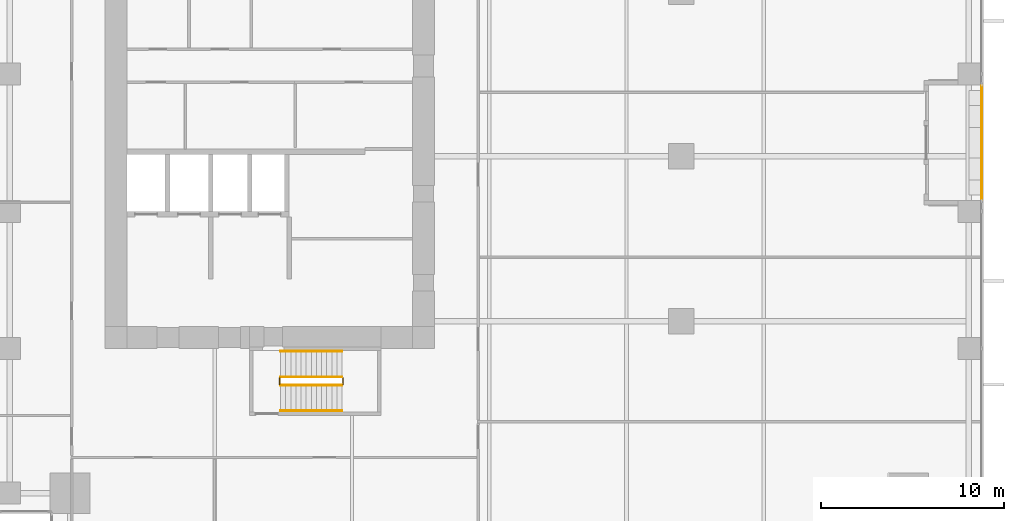
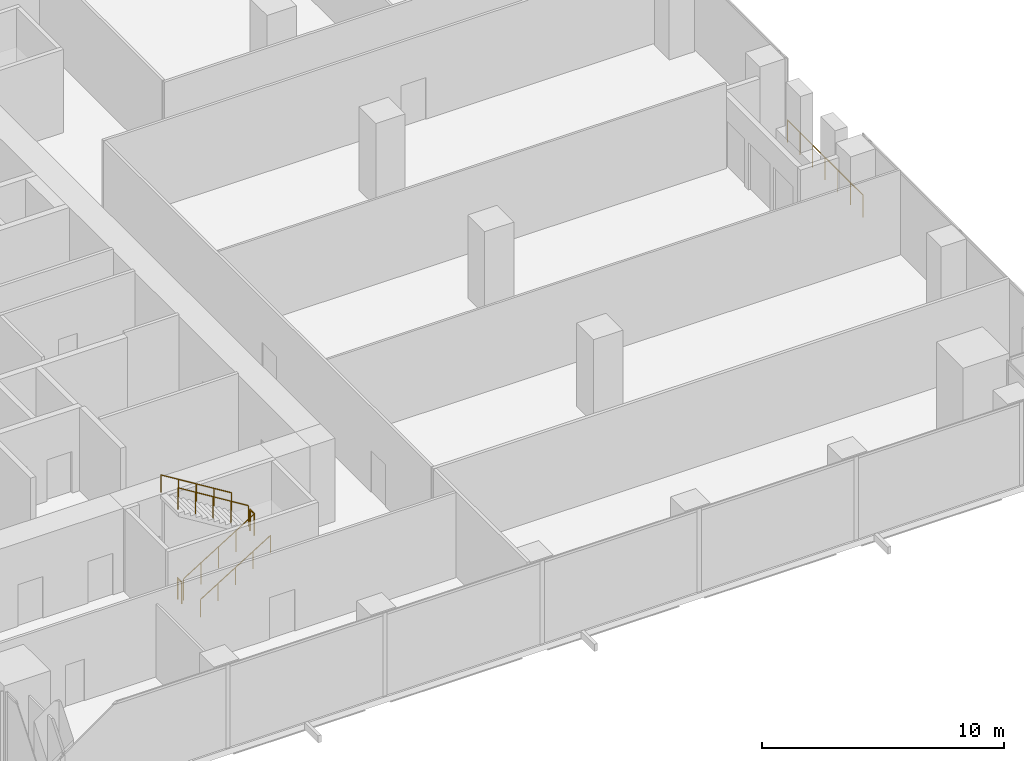
# One storey, part 30 of 32: 7 railings.
"""IFC4 building model written with IfcOpenShell, lengths in metres."""

from ifc_helpers import new_model, si_unit, direction, frame, origin, origin_2d, place, context, subcontext, project, spatial, circle, extrude, source, transform, mapped, material, type_object, element, save


model = new_model("IFC4")

# Units and contexts
model_context = context("Model", 3, precision=1e-05, world=origin(), true_north=direction((0.0, 1.0)))
body_context = subcontext(model_context, "Body", "Model", "MODEL_VIEW")
ifc_project = project(units=[si_unit("LENGTHUNIT", "METRE"), si_unit("AREAUNIT", "SQUARE_METRE"), si_unit("VOLUMEUNIT", "CUBIC_METRE"), si_unit("PLANEANGLEUNIT", "RADIAN"), si_unit("MASSUNIT", "GRAM", prefix="KILO")], contexts=[model_context])

# Site, building, storey
site_placement = place(None, origin())
site = spatial("IfcSite", under=ifc_project, at=site_placement, CompositionType="ELEMENT")
building_placement = place(site_placement, origin())
building = spatial("IfcBuilding", under=site, at=building_placement, Name="Khomas Fold Tower", CompositionType="ELEMENT")
storey_placement = place(building_placement, frame((0.0, 0.0, 37.5)))
storey = spatial("IfcBuildingStorey", under=building, at=storey_placement, Name="L07", CompositionType="ELEMENT", Elevation=37.5)

# Railings
ifc_material_1 = material(Name="Powder-coated steel", Category="steel")
railing_type_1 = type_object("IfcRailingType", Name="Balcony guard", PredefinedType="GUARDRAIL", material=ifc_material_1)
shared_shape_1 = source(origin(), body_context, "Body", "SweptSolid", [
    extrude(circle(Radius=0.02490234375, at=origin_2d()), frame((0.0, 0.0, 1.125), z_axis=(0.0, 1.0, 0.0), x_axis=(-1.0, 0.0, 0.0)), (0.0, 0.0, 1.0), 6.240234375),
    extrude(circle(Radius=0.02001953125, at=origin_2d()), origin(), (0.0, 0.0, 1.0), 1.099853515625),
    extrude(circle(Radius=0.02001953125, at=origin_2d()), frame((0.0, 1.0400390625, 0.0)), (0.0, 0.0, 1.0), 1.099853515625),
    extrude(circle(Radius=0.02001953125, at=origin_2d()), frame((0.0, 2.080078125, 0.0)), (0.0, 0.0, 1.0), 1.099853515625),
    extrude(circle(Radius=0.02001953125, at=origin_2d()), frame((0.0, 3.1201171875, 0.0)), (0.0, 0.0, 1.0), 1.099853515625),
    extrude(circle(Radius=0.02001953125, at=origin_2d()), frame((0.0, 4.16015625, 0.0)), (0.0, 0.0, 1.0), 1.099853515625),
    extrude(circle(Radius=0.02001953125, at=origin_2d()), frame((0.0, 5.2001953125, 0.0)), (0.0, 0.0, 1.0), 1.099853515625),
    extrude(circle(Radius=0.02001953125, at=origin_2d()), frame((0.0, 6.240234375, 0.0)), (0.0, 0.0, 1.0), 1.099853515625),
])
railing_1_placement = place(storey_placement, frame((53.89990234375, 20.1298828125, -0.044921875)))
element("IfcRailing", 1, at=railing_1_placement, inside=storey, type_object=railing_type_1, Name="Balcony guard BAL-L07-E2", PredefinedType="GUARDRAIL", context=body_context, shape_type="MappedRepresentation", body=[
    mapped(shared_shape_1, transform((0.0, 0.0, 0.0))),
])
ifc_material_2 = material(Name="Steel balustrade", Category="steel")
railing_type_2 = type_object("IfcRailingType", Name="Stair guard", PredefinedType="GUARDRAIL", material=ifc_material_2)
shared_shape_2 = source(origin(), body_context, "Body", "SweptSolid", [
    extrude(circle(Radius=0.02392578125, at=origin_2d()), frame((0.0, 0.0, 1.076171875), z_axis=(0.850606129759, 0.0, 0.525803396734), x_axis=(0.0, 1.0, 0.0)), (0.0, 0.0, 1.0), 3.949951171875),
    extrude(circle(Radius=0.02099609375, at=origin_2d()), origin(), (0.0, 0.0, 1.0), 1.052001953125),
    extrude(circle(Radius=0.02099609375, at=origin_2d()), frame((0.83984375, 0.0, 0.519287109375)), (0.0, 0.0, 1.0), 1.052001953125),
    extrude(circle(Radius=0.02099609375, at=origin_2d()), frame((1.679931640625, 0.0, 1.03857421875)), (0.0, 0.0, 1.0), 1.052001953125),
    extrude(circle(Radius=0.02099609375, at=origin_2d()), frame((2.52001953125, 0.0, 1.5576171875)), (0.0, 0.0, 1.0), 1.052001953125),
    extrude(circle(Radius=0.02099609375, at=origin_2d()), frame((3.35986328125, 0.0, 2.076904296875)), (0.0, 0.0, 1.0), 1.052001953125),
])
railing_2_placement = place(storey_placement, frame((15.60009765625, 10.0, 0.173095703125)))
element("IfcRailing", 2, at=railing_2_placement, inside=storey, type_object=railing_type_2, Name="L07 ST2 stair guard 1", PredefinedType="GUARDRAIL", context=body_context, shape_type="MappedRepresentation", body=[
    mapped(shared_shape_2, transform((0.0, 0.0, 0.0))),
])
shared_shape_3 = source(origin(), body_context, "Body", "SweptSolid", [
    extrude(circle(Radius=0.02392578125, at=origin_2d()), frame((0.0, 0.0, 1.076171875), z_axis=(0.0, 1.0, 0.0), x_axis=(-1.0, 0.0, 0.0)), (0.0, 0.0, 1.0), 0.349853515625),
    extrude(circle(Radius=0.02099609375, at=origin_2d()), origin(), (0.0, 0.0, 1.0), 1.052001953125),
    extrude(circle(Radius=0.02099609375, at=origin_2d()), frame((0.0, 0.349853515625, 0.0)), (0.0, 0.0, 1.0), 1.052001953125),
])
for number, where, name in (
    (3, (19.010009765625, 10.050048828125, 2.25), "L07 ST2 stair guard 2"),
    (4, (15.550048828125, 10.050048828125, 0.0), "L07 ST2 stair guard 4"),
):
    element("IfcRailing", number, at=place(storey_placement, frame(where)), inside=storey, type_object=railing_type_2, Name=name, PredefinedType="GUARDRAIL", context=body_context, shape_type="MappedRepresentation", body=[
        mapped(shared_shape_3, transform((0.0, 0.0, 0.0))),
    ])
shared_shape_4 = source(origin(), body_context, "Body", "SweptSolid", [
    extrude(circle(Radius=0.02392578125, at=origin_2d()), frame((0.0, 0.0, 1.076171875), z_axis=(-0.850606129759, 0.0, 0.525803396734), x_axis=(0.0, -1.0, 0.0)), (0.0, 0.0, 1.0), 3.949951171875),
    extrude(circle(Radius=0.02099609375, at=origin_2d()), origin(), (0.0, 0.0, 1.0), 1.052001953125),
    extrude(circle(Radius=0.02099609375, at=origin_2d()), frame((-0.83984375, 0.0, 0.519287109375)), (0.0, 0.0, 1.0), 1.052001953125),
    extrude(circle(Radius=0.02099609375, at=origin_2d()), frame((-1.679931640625, 0.0, 1.03857421875)), (0.0, 0.0, 1.0), 1.052001953125),
    extrude(circle(Radius=0.02099609375, at=origin_2d()), frame((-2.52001953125, 0.0, 1.5576171875)), (0.0, 0.0, 1.0), 1.052001953125),
    extrude(circle(Radius=0.02099609375, at=origin_2d()), frame((-3.35986328125, 0.0, 2.076904296875)), (0.0, 0.0, 1.0), 1.052001953125),
])
railing_3_placement = place(storey_placement, frame((18.9599609375, 10.449951171875, 2.423095703125)))
element("IfcRailing", 5, at=railing_3_placement, inside=storey, type_object=railing_type_2, Name="L07 ST2 stair guard 3", PredefinedType="GUARDRAIL", context=body_context, shape_type="MappedRepresentation", body=[
    mapped(shared_shape_4, transform((0.0, 0.0, 0.0))),
])
ifc_material_3 = material(Name="Steel handrail", Category="steel")
railing_type_3 = type_object("IfcRailingType", Name="Stair handrail", PredefinedType="HANDRAIL", material=ifc_material_3)
shared_shape_5 = source(origin(), body_context, "Body", "SweptSolid", [
    extrude(circle(Radius=0.02392578125, at=origin_2d()), frame((0.0, 0.0, 0.8759765625), z_axis=(0.850606129759, 0.0, 0.525803396734), x_axis=(0.0, 1.0, 0.0)), (0.0, 0.0, 1.0), 3.949951171875),
    extrude(circle(Radius=0.02099609375, at=origin_2d()), origin(), (0.0, 0.0, 1.0), 0.851806640625),
    extrude(circle(Radius=0.02099609375, at=origin_2d()), frame((0.83984375, 0.0, 0.519287109375)), (0.0, 0.0, 1.0), 0.851806640625),
    extrude(circle(Radius=0.02099609375, at=origin_2d()), frame((1.679931640625, 0.0, 1.03857421875)), (0.0, 0.0, 1.0), 0.851806640625),
    extrude(circle(Radius=0.02099609375, at=origin_2d()), frame((2.52001953125, 0.0, 1.5576171875)), (0.0, 0.0, 1.0), 0.851806640625),
    extrude(circle(Radius=0.02099609375, at=origin_2d()), frame((3.35986328125, 0.0, 2.076904296875)), (0.0, 0.0, 1.0), 0.851806640625),
])
railing_4_placement = place(storey_placement, frame((15.60009765625, 8.60009765625, 0.173095703125)))
element("IfcRailing", 6, at=railing_4_placement, inside=storey, type_object=railing_type_3, Name="L07 ST2 stair handrail 1", PredefinedType="HANDRAIL", context=body_context, shape_type="MappedRepresentation", body=[
    mapped(shared_shape_5, transform((0.0, 0.0, 0.0))),
])
shared_shape_6 = source(origin(), body_context, "Body", "SweptSolid", [
    extrude(circle(Radius=0.02392578125, at=origin_2d()), frame((0.0, 0.0, 0.8759765625), z_axis=(-0.850606129759, 0.0, 0.525803396734), x_axis=(0.0, -1.0, 0.0)), (0.0, 0.0, 1.0), 3.949951171875),
    extrude(circle(Radius=0.02099609375, at=origin_2d()), origin(), (0.0, 0.0, 1.0), 0.851806640625),
    extrude(circle(Radius=0.02099609375, at=origin_2d()), frame((-0.83984375, 0.0, 0.519287109375)), (0.0, 0.0, 1.0), 0.851806640625),
    extrude(circle(Radius=0.02099609375, at=origin_2d()), frame((-1.679931640625, 0.0, 1.03857421875)), (0.0, 0.0, 1.0), 0.851806640625),
    extrude(circle(Radius=0.02099609375, at=origin_2d()), frame((-2.52001953125, 0.0, 1.5576171875)), (0.0, 0.0, 1.0), 0.851806640625),
    extrude(circle(Radius=0.02099609375, at=origin_2d()), frame((-3.35986328125, 0.0, 2.076904296875)), (0.0, 0.0, 1.0), 0.851806640625),
])
railing_5_placement = place(storey_placement, frame((18.9599609375, 11.85009765625, 2.423095703125)))
element("IfcRailing", 7, at=railing_5_placement, inside=storey, type_object=railing_type_3, Name="L07 ST2 stair handrail 2", PredefinedType="HANDRAIL", context=body_context, shape_type="MappedRepresentation", body=[
    mapped(shared_shape_6, transform((0.0, 0.0, 0.0))),
])

save(model, "model.ifc")
